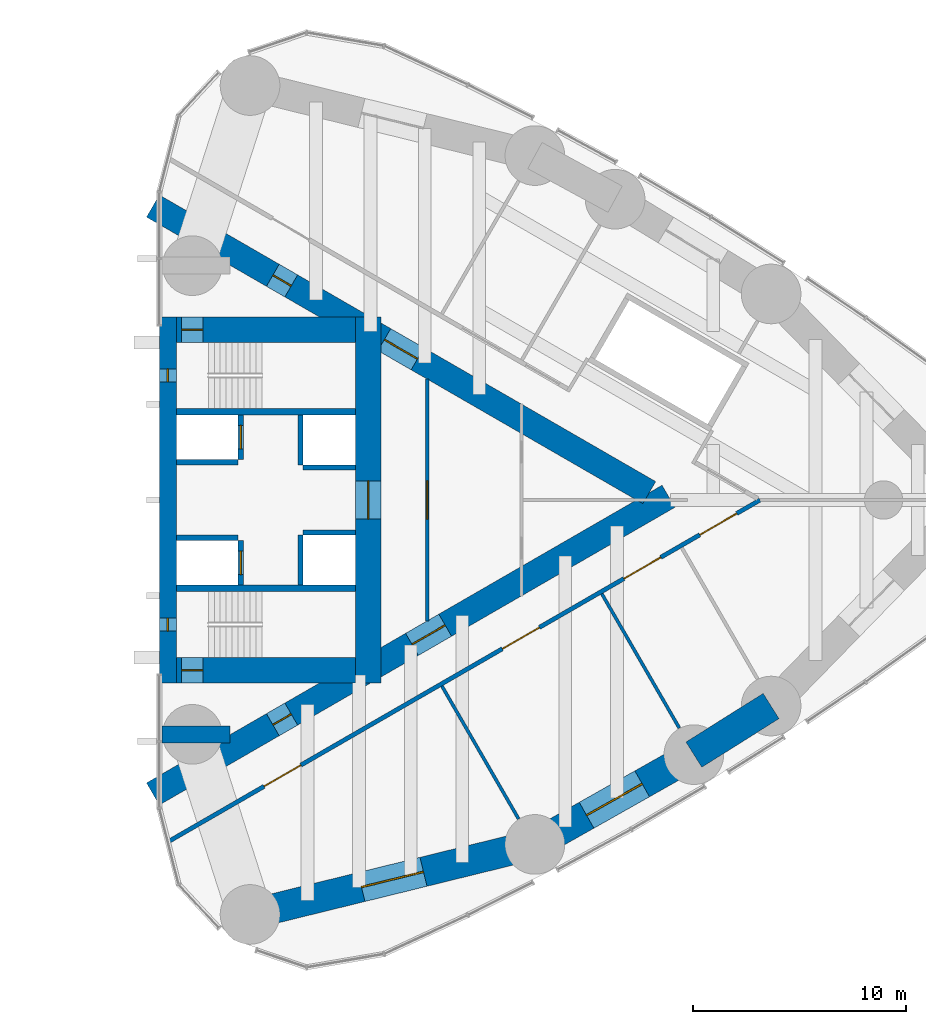
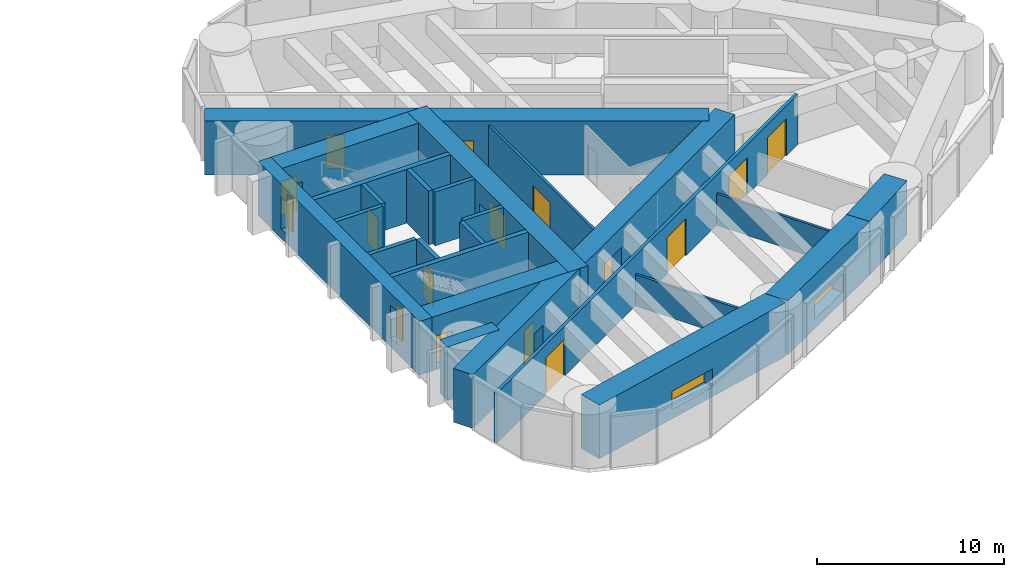
# One storey, part 14 of 17: 24 walls, 14 doors, 4 windows, 18 openings.
"""IFC4 building model written with IfcOpenShell, lengths in metres."""

from ifc_helpers import new_model, si_unit, direction, frame, frame_2d, origin, place, context, subcontext, project, spatial, rectangle, extrude, material, layer, layer_set, type_object, element, fill, save


model = new_model("IFC4")

# Units and contexts
model_context = context("Model", 3, precision=1e-05, world=origin(), true_north=direction((0.0, 1.0)))
body_context = subcontext(model_context, "Body", "Model", "MODEL_VIEW")
ifc_project = project(units=[si_unit("LENGTHUNIT", "METRE"), si_unit("AREAUNIT", "SQUARE_METRE"), si_unit("VOLUMEUNIT", "CUBIC_METRE"), si_unit("PLANEANGLEUNIT", "RADIAN"), si_unit("MASSUNIT", "GRAM", prefix="KILO")], contexts=[model_context])

# Site, building, storey
site_placement = place(None, origin())
site = spatial("IfcSite", under=ifc_project, at=site_placement, CompositionType="ELEMENT")
building_placement = place(site_placement, origin())
building = spatial("IfcBuilding", under=site, at=building_placement, Name="Lancet Gate Hotel", CompositionType="ELEMENT")
storey_placement = place(building_placement, frame((0.0, 0.0, 201.800048828125)))
storey = spatial("IfcBuildingStorey", under=building, at=storey_placement, Name="L54", CompositionType="ELEMENT", Elevation=201.800048828125)

# Wall, opening, window
ifc_material_1 = material(Name="Concrete C80/95", Category="concrete")
ifc_layer_1 = layer(ifc_material_1, 1.39990234375)
ifc_layer_set_1 = layer_set([ifc_layer_1], Name="Belt wall 1400")
wall_type_1 = type_object("IfcWallType", Name="Belt wall 1400", PredefinedType="SHEAR", material=ifc_layer_set_1)
wall_1_placement = place(storey_placement, frame((31.759765625, -19.455810546875, 0.0), z_axis=(0.0, 0.0, 1.0), x_axis=(0.971093253227, 0.238700426344, 0.0)))
wall_1 = element("IfcWall", 1, at=wall_1_placement, inside=storey, type_object=wall_type_1, Name="T2 belt wall CS-OS1 L54", PredefinedType="SHEAR", context=body_context, shape_type="SweptSolid", body=[
    extrude(rectangle(XDim=13.77197265625, YDim=1.39990234375, at=frame_2d((6.885986328125, 0.0))), origin(), (0.0, 0.0, 1.0), 3.5),
])
opening_1_placement = place(wall_1_placement, frame((5.385986328125, 0.0, 0.60009765625)))
opening_1 = element("IfcOpeningElement", 2, at=opening_1_placement, cuts=wall_1, Name="Opening LV1", PredefinedType="OPENING", context=body_context, shape_type="SweptSolid", body=[
    extrude(rectangle(XDim=3.0, YDim=1.199951171875, at=frame_2d((1.5, 0.60009765625))), frame((0.0, 0.7099609375, 0.0), z_axis=(0.0, -1.0, 0.0), x_axis=(1.0, 0.0, 0.0)), (0.0, 0.0, 1.0), 1.419921875),
])
ifc_material_2 = material(Name="Aluminium weather louvre", Category="aluminium")
window_type_1 = type_object("IfcWindowType", Name="Refuge louvre 3000x1200", PartitioningType="SINGLE_PANEL", PredefinedType="WINDOW", material=ifc_material_2)
window_1_placement = place(opening_1_placement, origin())
window_1 = element("IfcWindow", 3, at=window_1_placement, inside=storey, type_object=window_type_1, Name="T2 belt louvre CS-OS1 L54", OverallHeight=1.199951171875, OverallWidth=3.0, PartitioningType="SINGLE_PANEL", PredefinedType="WINDOW", context=body_context, shape_type="SweptSolid", body=[
    extrude(rectangle(XDim=3.0, YDim=1.199951171875, at=frame_2d((1.5, 0.60009765625))), frame((0.0, 0.030029296875, 0.0), z_axis=(0.0, -1.0, 0.0), x_axis=(1.0, 0.0, 0.0)), (0.0, 0.0, 1.0), 0.06005859375),
])
fill(opening_1, window_1)

wall_2_placement = place(storey_placement, frame((45.133544921875, -16.16845703125, 0.0), z_axis=(0.0, 0.0, 1.0), x_axis=(0.870721990329, 0.491775574381, 0.0)))
wall_2 = element("IfcWall", 4, at=wall_2_placement, inside=storey, type_object=wall_type_1, Name="T2 belt wall OS1-OS2 L54", PredefinedType="SHEAR", context=body_context, shape_type="SweptSolid", body=[
    extrude(rectangle(XDim=8.568603515625, YDim=1.39990234375, at=frame_2d((4.2841796875, 0.0))), origin(), (0.0, 0.0, 1.0), 3.5),
])
opening_2_placement = place(wall_2_placement, frame((2.7841796875, 0.0, 0.60009765625)))
opening_2 = element("IfcOpeningElement", 5, at=opening_2_placement, cuts=wall_2, Name="Opening LV1", PredefinedType="OPENING", context=body_context, shape_type="SweptSolid", body=[
    extrude(rectangle(XDim=3.0, YDim=1.199951171875, at=frame_2d((1.5, 0.60009765625))), frame((0.0, 0.7099609375, 0.0), z_axis=(0.0, -1.0, 0.0), x_axis=(1.0, 0.0, 0.0)), (0.0, 0.0, 1.0), 1.419921875),
])
window_2_placement = place(opening_2_placement, origin())
window_2 = element("IfcWindow", 6, at=window_2_placement, inside=storey, type_object=window_type_1, Name="T2 belt louvre OS1-OS2 L54", OverallHeight=1.199951171875, OverallWidth=3.0, PartitioningType="SINGLE_PANEL", PredefinedType="WINDOW", context=body_context, shape_type="SweptSolid", body=[
    extrude(rectangle(XDim=3.0, YDim=1.199951171875, at=frame_2d((1.5, 0.60009765625))), frame((0.0, 0.030029296875, 0.0), z_axis=(0.0, -1.0, 0.0), x_axis=(1.0, 0.0, 0.0)), (0.0, 0.0, 1.0), 0.06005859375),
])
fill(opening_2, window_2)

# Wall
wall_3_placement = place(storey_placement, frame((52.594482421875, -11.95458984375, 0.0), z_axis=(0.0, 0.0, 1.0), x_axis=(0.846348902569, 0.532628890617, 0.0)))
element("IfcWall", 7, at=wall_3_placement, inside=storey, type_object=wall_type_1, Name="T2 belt wall OS2-OS3 L54", PredefinedType="SHEAR", context=body_context, shape_type="SweptSolid", body=[
    extrude(rectangle(XDim=4.284912109375, YDim=1.39990234375, at=frame_2d((2.142578125, 0.0))), origin(), (0.0, 0.0, 1.0), 3.5),
])

# Wall, openings, doors
ifc_material_3 = material(Name="Concrete C70/85", Category="concrete")
ifc_layer_2 = layer(ifc_material_3, 1.199951171875)
ifc_layer_set_2 = layer_set([ifc_layer_2], Name="Buttress wall 1200")
wall_type_2 = type_object("IfcWallType", Name="Buttress wall 1200", PredefinedType="SHEAR", material=ifc_layer_set_2)
wall_4_placement = place(storey_placement, frame((27.199951171875, -13.800048828125, 0.0), z_axis=(0.0, 0.0, 1.0), x_axis=(0.866027159892, 0.499996958321, 0.0)))
wall_4 = element("IfcWall", 8, at=wall_4_placement, inside=storey, type_object=wall_type_2, Name="T2 buttress wall S L54", PredefinedType="SHEAR", context=body_context, shape_type="SweptSolid", body=[
    extrude(rectangle(XDim=27.946533203125, YDim=1.199951171875, at=frame_2d((13.97314453125, 0.0))), origin(), (0.0, 0.0, 1.0), 3.5),
])
opening_3_placement = place(wall_4_placement, frame((6.5, 0.0, 0.0)))
opening_3 = element("IfcOpeningElement", 9, at=opening_3_placement, cuts=wall_4, Name="Opening T2-L54-LS", PredefinedType="OPENING", context=body_context, shape_type="SweptSolid", body=[
    extrude(rectangle(XDim=1.0, YDim=2.199951171875, at=frame_2d((0.5, 1.10009765625))), frame((0.0, 0.60986328125, 0.0), z_axis=(0.0, -1.0, 0.0), x_axis=(1.0, 0.0, 0.0)), (0.0, 0.0, 1.0), 1.219970703125),
])
opening_4_placement = place(wall_4_placement, frame((14.044921875, 0.0, 0.0)))
opening_4 = element("IfcOpeningElement", 10, at=opening_4_placement, cuts=wall_4, Name="Opening T2-L54-LHS", PredefinedType="OPENING", context=body_context, shape_type="SweptSolid", body=[
    extrude(rectangle(XDim=1.800048828125, YDim=2.199951171875, at=frame_2d((0.89990234375, 1.10009765625))), frame((0.0, 0.60986328125, 0.0), z_axis=(0.0, -1.0, 0.0), x_axis=(1.0, 0.0, 0.0)), (0.0, 0.0, 1.0), 1.219970703125),
])
ifc_material_4 = material(Name="Timber door set", Category="wood")
door_type_1 = type_object("IfcDoorType", Name="Lobby double door 1800", OperationType="DOUBLE_DOOR_SINGLE_SWING", PredefinedType="DOOR", material=ifc_material_4)
door_1_placement = place(opening_4_placement, origin())
door_1 = element("IfcDoor", 11, at=door_1_placement, inside=storey, type_object=door_type_1, Name="T2-L54-LHS", OperationType="DOUBLE_DOOR_SINGLE_SWING", OverallHeight=2.199951171875, OverallWidth=1.800048828125, PredefinedType="DOOR", context=body_context, shape_type="SweptSolid", body=[
    extrude(rectangle(XDim=1.800048828125, YDim=2.199951171875, at=frame_2d((0.89990234375, 1.10009765625))), frame((0.0, 0.02490234375, 0.0), z_axis=(0.0, -1.0, 0.0), x_axis=(1.0, 0.0, 0.0)), (0.0, 0.0, 1.0), 0.050048828125),
])
fill(opening_4, door_1)
ifc_material_5 = material(Name="Timber door set", Category="wood")
door_type_2 = type_object("IfcDoorType", Name="Stair lobby door 1000", OperationType="SINGLE_SWING_LEFT", PredefinedType="DOOR", material=ifc_material_5)
door_2_placement = place(opening_3_placement, origin())
door_2 = element("IfcDoor", 12, at=door_2_placement, inside=storey, type_object=door_type_2, Name="T2-L54-LS", OperationType="SINGLE_SWING_LEFT", OverallHeight=2.199951171875, OverallWidth=1.0, PredefinedType="DOOR", context=body_context, shape_type="SweptSolid", body=[
    extrude(rectangle(XDim=1.0, YDim=2.199951171875, at=frame_2d((0.5, 1.10009765625))), frame((0.0, 0.02490234375, 0.0), z_axis=(0.0, -1.0, 0.0), x_axis=(1.0, 0.0, 0.0)), (0.0, 0.0, 1.0), 0.050048828125),
])
fill(opening_3, door_2)

wall_5_placement = place(storey_placement, frame((27.199951171875, 13.800048828125, 0.0), z_axis=(0.0, 0.0, 1.0), x_axis=(0.866024515034, -0.500001539357, 0.0)))
wall_5 = element("IfcWall", 13, at=wall_5_placement, inside=storey, type_object=wall_type_2, Name="T2 buttress wall N L54", PredefinedType="SHEAR", context=body_context, shape_type="SweptSolid", body=[
    extrude(rectangle(XDim=26.9072265625, YDim=1.199951171875, at=frame_2d((13.45361328125, 0.0))), origin(), (0.0, 0.0, 1.0), 3.5),
])
opening_5_placement = place(wall_5_placement, frame((6.5, 0.0, 0.0)))
opening_5 = element("IfcOpeningElement", 14, at=opening_5_placement, cuts=wall_5, Name="Opening T2-L54-LN", PredefinedType="OPENING", context=body_context, shape_type="SweptSolid", body=[
    extrude(rectangle(XDim=1.0, YDim=2.199951171875, at=frame_2d((0.5, 1.10009765625))), frame((0.0, 0.60986328125, 0.0), z_axis=(0.0, -1.0, 0.0), x_axis=(1.0, 0.0, 0.0)), (0.0, 0.0, 1.0), 1.219970703125),
])
opening_6_placement = place(wall_5_placement, frame((12.544921875, 0.0, 0.0)))
opening_6 = element("IfcOpeningElement", 15, at=opening_6_placement, cuts=wall_5, Name="Opening T2-L54-LHN", PredefinedType="OPENING", context=body_context, shape_type="SweptSolid", body=[
    extrude(rectangle(XDim=1.800048828125, YDim=2.199951171875, at=frame_2d((0.89990234375, 1.10009765625))), frame((0.0, 0.60986328125, 0.0), z_axis=(0.0, -1.0, 0.0), x_axis=(1.0, 0.0, 0.0)), (0.0, 0.0, 1.0), 1.219970703125),
])
door_3_placement = place(opening_6_placement, origin())
door_3 = element("IfcDoor", 16, at=door_3_placement, inside=storey, type_object=door_type_1, Name="T2-L54-LHN", OperationType="DOUBLE_DOOR_SINGLE_SWING", OverallHeight=2.199951171875, OverallWidth=1.800048828125, PredefinedType="DOOR", context=body_context, shape_type="SweptSolid", body=[
    extrude(rectangle(XDim=1.800048828125, YDim=2.199951171875, at=frame_2d((0.89990234375, 1.10009765625))), frame((0.0, 0.02490234375, 0.0), z_axis=(0.0, -1.0, 0.0), x_axis=(1.0, 0.0, 0.0)), (0.0, 0.0, 1.0), 0.050048828125),
])
fill(opening_6, door_3)
door_4_placement = place(opening_5_placement, origin())
door_4 = element("IfcDoor", 17, at=door_4_placement, inside=storey, type_object=door_type_2, Name="T2-L54-LN", OperationType="SINGLE_SWING_LEFT", OverallHeight=2.199951171875, OverallWidth=1.0, PredefinedType="DOOR", context=body_context, shape_type="SweptSolid", body=[
    extrude(rectangle(XDim=1.0, YDim=2.199951171875, at=frame_2d((0.5, 1.10009765625))), frame((0.0, 0.02490234375, 0.0), z_axis=(0.0, -1.0, 0.0), x_axis=(1.0, 0.0, 0.0)), (0.0, 0.0, 1.0), 0.050048828125),
])
fill(opening_5, door_4)

# Wall, opening, door
ifc_material_6 = material(Name="Concrete C70/85", Category="concrete")
ifc_layer_3 = layer(ifc_material_6, 1.199951171875)
ifc_layer_set_3 = layer_set([ifc_layer_3], Name="Core wall 1200")
wall_type_3 = type_object("IfcWallType", Name="Core wall 1200", PredefinedType="SHEAR", material=ifc_layer_set_3)
wall_6_placement = place(storey_placement, frame((37.300048828125, -8.60009765625, 0.0), z_axis=(0.0, 0.0, 1.0), x_axis=(0.0, 1.0, 0.0)))
wall_6 = element("IfcWall", 18, at=wall_6_placement, inside=storey, type_object=wall_type_3, Name="T2 core wall back L54", PredefinedType="SHEAR", context=body_context, shape_type="SweptSolid", body=[
    extrude(rectangle(XDim=17.2001953125, YDim=1.199951171875, at=frame_2d((8.60009765625, 0.0))), origin(), (0.0, 0.0, 1.0), 3.5),
])
opening_7_placement = place(wall_6_placement, frame((7.699951171875, 0.0, 0.0)))
opening_7 = element("IfcOpeningElement", 19, at=opening_7_placement, cuts=wall_6, Name="Opening T2-L54-LL", PredefinedType="OPENING", context=body_context, shape_type="SweptSolid", body=[
    extrude(rectangle(XDim=1.800048828125, YDim=2.199951171875, at=frame_2d((0.89990234375, 1.10009765625))), frame((0.0, 0.60986328125, 0.0), z_axis=(0.0, -1.0, 0.0), x_axis=(1.0, 0.0, 0.0)), (0.0, 0.0, 1.0), 1.219970703125),
])
door_5_placement = place(opening_7_placement, origin())
door_5 = element("IfcDoor", 20, at=door_5_placement, inside=storey, type_object=door_type_1, Name="T2-L54-LL", OperationType="DOUBLE_DOOR_SINGLE_SWING", OverallHeight=2.199951171875, OverallWidth=1.800048828125, PredefinedType="DOOR", context=body_context, shape_type="SweptSolid", body=[
    extrude(rectangle(XDim=1.800048828125, YDim=2.199951171875, at=frame_2d((0.89990234375, 1.10009765625))), frame((0.0, 0.02490234375, 0.0), z_axis=(0.0, -1.0, 0.0), x_axis=(1.0, 0.0, 0.0)), (0.0, 0.0, 1.0), 0.050048828125),
])
fill(opening_7, door_5)

wall_7_placement = place(storey_placement, frame((28.300048828125, -8.0, 0.0), z_axis=(0.0, 0.0, 1.0), x_axis=(1.0, 0.0, 0.0)))
wall_7 = element("IfcWall", 21, at=wall_7_placement, inside=storey, type_object=wall_type_3, Name="T2 core wall side-S L54", PredefinedType="SHEAR", context=body_context, shape_type="SweptSolid", body=[
    extrude(rectangle(XDim=8.39990234375, YDim=1.199951171875, at=frame_2d((4.199951171875, 0.0))), origin(), (0.0, 0.0, 1.0), 3.5),
])
opening_8_placement = place(wall_7_placement, frame((0.25, 0.0, 0.0)))
opening_8 = element("IfcOpeningElement", 22, at=opening_8_placement, cuts=wall_7, Name="Opening T2-L54-ST1", PredefinedType="OPENING", context=body_context, shape_type="SweptSolid", body=[
    extrude(rectangle(XDim=1.0, YDim=2.199951171875, at=frame_2d((0.5, 1.10009765625))), frame((0.0, 0.60986328125, 0.0), z_axis=(0.0, -1.0, 0.0), x_axis=(1.0, 0.0, 0.0)), (0.0, 0.0, 1.0), 1.219970703125),
])
ifc_material_7 = material(Name="Timber door set", Category="wood")
door_type_3 = type_object("IfcDoorType", Name="Stair door 1000", OperationType="SINGLE_SWING_RIGHT", PredefinedType="DOOR", material=ifc_material_7)
door_6_placement = place(opening_8_placement, origin())
door_6 = element("IfcDoor", 23, at=door_6_placement, inside=storey, type_object=door_type_3, Name="T2-L54-ST1", OperationType="SINGLE_SWING_RIGHT", OverallHeight=2.199951171875, OverallWidth=1.0, PredefinedType="DOOR", context=body_context, shape_type="SweptSolid", body=[
    extrude(rectangle(XDim=1.0, YDim=2.199951171875, at=frame_2d((0.5, 1.10009765625))), frame((0.0, 0.02490234375, 0.0), z_axis=(0.0, -1.0, 0.0), x_axis=(1.0, 0.0, 0.0)), (0.0, 0.0, 1.0), 0.050048828125),
])
fill(opening_8, door_6)

wall_8_placement = place(storey_placement, frame((28.300048828125, 8.0, 0.0), z_axis=(0.0, 0.0, 1.0), x_axis=(1.0, 0.0, 0.0)))
wall_8 = element("IfcWall", 24, at=wall_8_placement, inside=storey, type_object=wall_type_3, Name="T2 core wall side-N L54", PredefinedType="SHEAR", context=body_context, shape_type="SweptSolid", body=[
    extrude(rectangle(XDim=8.39990234375, YDim=1.199951171875, at=frame_2d((4.199951171875, 0.0))), origin(), (0.0, 0.0, 1.0), 3.5),
])
opening_9_placement = place(wall_8_placement, frame((0.25, 0.0, 0.0)))
opening_9 = element("IfcOpeningElement", 25, at=opening_9_placement, cuts=wall_8, Name="Opening T2-L54-ST2", PredefinedType="OPENING", context=body_context, shape_type="SweptSolid", body=[
    extrude(rectangle(XDim=1.0, YDim=2.199951171875, at=frame_2d((0.5, 1.10009765625))), frame((0.0, 0.60986328125, 0.0), z_axis=(0.0, -1.0, 0.0), x_axis=(1.0, 0.0, 0.0)), (0.0, 0.0, 1.0), 1.219970703125),
])
door_7_placement = place(opening_9_placement, origin())
door_7 = element("IfcDoor", 26, at=door_7_placement, inside=storey, type_object=door_type_3, Name="T2-L54-ST2", OperationType="SINGLE_SWING_RIGHT", OverallHeight=2.199951171875, OverallWidth=1.0, PredefinedType="DOOR", context=body_context, shape_type="SweptSolid", body=[
    extrude(rectangle(XDim=1.0, YDim=2.199951171875, at=frame_2d((0.5, 1.10009765625))), frame((0.0, 0.02490234375, 0.0), z_axis=(0.0, -1.0, 0.0), x_axis=(1.0, 0.0, 0.0)), (0.0, 0.0, 1.0), 0.050048828125),
])
fill(opening_9, door_7)

# Wall, openings, windows
ifc_material_8 = material(Name="Concrete C70/85", Category="concrete")
ifc_layer_4 = layer(ifc_material_8, 0.800048828125)
ifc_layer_set_4 = layer_set([ifc_layer_4], Name="Core wall 800")
wall_type_4 = type_object("IfcWallType", Name="Core wall 800", PredefinedType="SHEAR", material=ifc_layer_set_4)
wall_9_placement = place(storey_placement, frame((27.89990234375, -8.60009765625, 0.0), z_axis=(0.0, 0.0, 1.0), x_axis=(0.0, 1.0, 0.0)))
wall_9 = element("IfcWall", 27, at=wall_9_placement, inside=storey, type_object=wall_type_4, Name="T2 core wall front L54", PredefinedType="SHEAR", context=body_context, shape_type="SweptSolid", body=[
    extrude(rectangle(XDim=17.2001953125, YDim=0.800048828125, at=frame_2d((8.60009765625, 0.0))), origin(), (0.0, 0.0, 1.0), 3.5),
])
opening_10_placement = place(wall_9_placement, frame((2.449951171875, 0.0, 0.60009765625)))
opening_10 = element("IfcOpeningElement", 28, at=opening_10_placement, cuts=wall_9, Name="Opening LW1", PredefinedType="OPENING", context=body_context, shape_type="SweptSolid", body=[
    extrude(rectangle(XDim=0.60009765625, YDim=2.10009765625, at=frame_2d((0.300048828125, 1.050048828125))), frame((0.0, 0.409912109375, 0.0), z_axis=(0.0, -1.0, 0.0), x_axis=(1.0, 0.0, 0.0)), (0.0, 0.0, 1.0), 0.820068359375),
])
opening_11_placement = place(wall_9_placement, frame((14.14990234375, 0.0, 0.60009765625)))
opening_11 = element("IfcOpeningElement", 29, at=opening_11_placement, cuts=wall_9, Name="Opening LW1", PredefinedType="OPENING", context=body_context, shape_type="SweptSolid", body=[
    extrude(rectangle(XDim=0.60009765625, YDim=2.10009765625, at=frame_2d((0.300048828125, 1.050048828125))), frame((0.0, 0.409912109375, 0.0), z_axis=(0.0, -1.0, 0.0), x_axis=(1.0, 0.0, 0.0)), (0.0, 0.0, 1.0), 0.820068359375),
])
ifc_material_9 = material(Name="Fire-resisting glazed steel window", Category="steel")
window_type_2 = type_object("IfcWindowType", Name="Lancet window 600x2100", PartitioningType="SINGLE_PANEL", PredefinedType="WINDOW", material=ifc_material_9)
window_3_placement = place(opening_10_placement, origin())
window_3 = element("IfcWindow", 30, at=window_3_placement, inside=storey, type_object=window_type_2, Name="T2 stair window S L54", OverallHeight=2.10009765625, OverallWidth=0.60009765625, PartitioningType="SINGLE_PANEL", PredefinedType="WINDOW", context=body_context, shape_type="SweptSolid", body=[
    extrude(rectangle(XDim=0.60009765625, YDim=2.10009765625, at=frame_2d((0.300048828125, 1.050048828125))), frame((0.0, 0.030029296875, 0.0), z_axis=(0.0, -1.0, 0.0), x_axis=(1.0, 0.0, 0.0)), (0.0, 0.0, 1.0), 0.06005859375),
])
fill(opening_10, window_3)
window_4_placement = place(opening_11_placement, origin())
window_4 = element("IfcWindow", 31, at=window_4_placement, inside=storey, type_object=window_type_2, Name="T2 stair window N L54", OverallHeight=2.10009765625, OverallWidth=0.60009765625, PartitioningType="SINGLE_PANEL", PredefinedType="WINDOW", context=body_context, shape_type="SweptSolid", body=[
    extrude(rectangle(XDim=0.60009765625, YDim=2.10009765625, at=frame_2d((0.300048828125, 1.050048828125))), frame((0.0, 0.030029296875, 0.0), z_axis=(0.0, -1.0, 0.0), x_axis=(1.0, 0.0, 0.0)), (0.0, 0.0, 1.0), 0.06005859375),
])
fill(opening_11, window_4)

# Wall, openings, doors
ifc_material_10 = material(Name="Gypsum board partition")
ifc_layer_5 = layer(ifc_material_10, 0.199951171875)
ifc_layer_set_5 = layer_set([ifc_layer_5], Name="Corridor wall 200")
wall_type_5 = type_object("IfcWallType", Name="Corridor wall 200", PredefinedType="PARTITIONING", material=ifc_layer_set_5)
wall_10_placement = place(storey_placement, frame((27.902587890625, -16.05029296875, 0.0), z_axis=(0.0, 0.0, 1.0), x_axis=(0.866022581743, 0.500004887887, 0.0)))
wall_10 = element("IfcWall", 32, at=wall_10_placement, inside=storey, type_object=wall_type_5, Name="T2 corridor wall 200 L54", PredefinedType="PARTITIONING", context=body_context, shape_type="SweptSolid", body=[
    extrude(rectangle(XDim=32.100341796875, YDim=0.199951171875, at=frame_2d((16.05029296875, 0.0))), origin(), (0.0, 0.0, 1.0), 3.25),
])
opening_12_placement = place(wall_10_placement, frame((5.2119140625, 0.0, 0.0)))
opening_12 = element("IfcOpeningElement", 33, at=opening_12_placement, cuts=wall_10, Name="Opening T2-L54-C01", PredefinedType="OPENING", context=body_context, shape_type="SweptSolid", body=[
    extrude(rectangle(XDim=2.0, YDim=2.39990234375, at=frame_2d((1.0, 1.199951171875))), frame((0.0, 0.10986328125, 0.0), z_axis=(0.0, -1.0, 0.0), x_axis=(1.0, 0.0, 0.0)), (0.0, 0.0, 1.0), 0.219970703125),
])
opening_13_placement = place(wall_10_placement, frame((18.1328125, 0.0, 0.0)))
opening_13 = element("IfcOpeningElement", 34, at=opening_13_placement, cuts=wall_10, Name="Opening T2-L54-C02", PredefinedType="OPENING", context=body_context, shape_type="SweptSolid", body=[
    extrude(rectangle(XDim=2.0, YDim=2.39990234375, at=frame_2d((1.0, 1.199951171875))), frame((0.0, 0.10986328125, 0.0), z_axis=(0.0, -1.0, 0.0), x_axis=(1.0, 0.0, 0.0)), (0.0, 0.0, 1.0), 0.219970703125),
])
opening_14_placement = place(wall_10_placement, frame((24.717041015625, 0.0, 0.0)))
opening_14 = element("IfcOpeningElement", 35, at=opening_14_placement, cuts=wall_10, Name="Opening T2-L54-C03", PredefinedType="OPENING", context=body_context, shape_type="SweptSolid", body=[
    extrude(rectangle(XDim=2.0, YDim=2.39990234375, at=frame_2d((1.0, 1.199951171875))), frame((0.0, 0.10986328125, 0.0), z_axis=(0.0, -1.0, 0.0), x_axis=(1.0, 0.0, 0.0)), (0.0, 0.0, 1.0), 0.219970703125),
])
opening_15_placement = place(wall_10_placement, frame((28.836181640625, 0.0, 0.0)))
opening_15 = element("IfcOpeningElement", 36, at=opening_15_placement, cuts=wall_10, Name="Opening T2-L54-C04", PredefinedType="OPENING", context=body_context, shape_type="SweptSolid", body=[
    extrude(rectangle(XDim=2.0, YDim=2.39990234375, at=frame_2d((1.0, 1.199951171875))), frame((0.0, 0.10986328125, 0.0), z_axis=(0.0, -1.0, 0.0), x_axis=(1.0, 0.0, 0.0)), (0.0, 0.0, 1.0), 0.219970703125),
])
ifc_material_11 = material(Name="Timber door set", Category="wood")
door_type_4 = type_object("IfcDoorType", Name="Plant room double door 2000", OperationType="DOUBLE_DOOR_SINGLE_SWING", PredefinedType="DOOR", material=ifc_material_11)
door_8_placement = place(opening_12_placement, origin())
door_8 = element("IfcDoor", 37, at=door_8_placement, inside=storey, type_object=door_type_4, Name="T2-L54-C01", OperationType="DOUBLE_DOOR_SINGLE_SWING", OverallHeight=2.39990234375, OverallWidth=2.0, PredefinedType="DOOR", context=body_context, shape_type="SweptSolid", body=[
    extrude(rectangle(XDim=2.0, YDim=2.39990234375, at=frame_2d((1.0, 1.199951171875))), frame((0.0, 0.02490234375, 0.0), z_axis=(0.0, -1.0, 0.0), x_axis=(1.0, 0.0, 0.0)), (0.0, 0.0, 1.0), 0.050048828125),
])
fill(opening_12, door_8)
door_9_placement = place(opening_13_placement, origin())
door_9 = element("IfcDoor", 38, at=door_9_placement, inside=storey, type_object=door_type_4, Name="T2-L54-C02", OperationType="DOUBLE_DOOR_SINGLE_SWING", OverallHeight=2.39990234375, OverallWidth=2.0, PredefinedType="DOOR", context=body_context, shape_type="SweptSolid", body=[
    extrude(rectangle(XDim=2.0, YDim=2.39990234375, at=frame_2d((1.0, 1.199951171875))), frame((0.0, 0.02490234375, 0.0), z_axis=(0.0, -1.0, 0.0), x_axis=(1.0, 0.0, 0.0)), (0.0, 0.0, 1.0), 0.050048828125),
])
fill(opening_13, door_9)
door_10_placement = place(opening_14_placement, origin())
door_10 = element("IfcDoor", 39, at=door_10_placement, inside=storey, type_object=door_type_4, Name="T2-L54-C03", OperationType="DOUBLE_DOOR_SINGLE_SWING", OverallHeight=2.39990234375, OverallWidth=2.0, PredefinedType="DOOR", context=body_context, shape_type="SweptSolid", body=[
    extrude(rectangle(XDim=2.0, YDim=2.39990234375, at=frame_2d((1.0, 1.199951171875))), frame((0.0, 0.02490234375, 0.0), z_axis=(0.0, -1.0, 0.0), x_axis=(1.0, 0.0, 0.0)), (0.0, 0.0, 1.0), 0.050048828125),
])
fill(opening_14, door_10)
door_11_placement = place(opening_15_placement, origin())
door_11 = element("IfcDoor", 40, at=door_11_placement, inside=storey, type_object=door_type_4, Name="T2-L54-C04", OperationType="DOUBLE_DOOR_SINGLE_SWING", OverallHeight=2.39990234375, OverallWidth=2.0, PredefinedType="DOOR", context=body_context, shape_type="SweptSolid", body=[
    extrude(rectangle(XDim=2.0, YDim=2.39990234375, at=frame_2d((1.0, 1.199951171875))), frame((0.0, 0.02490234375, 0.0), z_axis=(0.0, -1.0, 0.0), x_axis=(1.0, 0.0, 0.0)), (0.0, 0.0, 1.0), 0.050048828125),
])
fill(opening_15, door_11)

# Wall, opening, door
ifc_material_12 = material(Name="Concrete C50/60", Category="concrete")
ifc_layer_6 = layer(ifc_material_12, 0.25)
ifc_layer_set_6 = layer_set([ifc_layer_6], Name="Lift shaft wall 250")
wall_type_6 = type_object("IfcWallType", Name="Lift shaft wall 250", PredefinedType="SHEAR", material=ifc_layer_set_6)
wall_11_placement = place(storey_placement, frame((31.324951171875, -4.0, 0.0), z_axis=(0.0, 0.0, 1.0), x_axis=(0.0, 1.0, 0.0)))
wall_11 = element("IfcWall", 41, at=wall_11_placement, inside=storey, type_object=wall_type_6, Name="T2 core wall row1-S L54", PredefinedType="SHEAR", context=body_context, shape_type="SweptSolid", body=[
    extrude(rectangle(XDim=2.10009765625, YDim=0.25, at=frame_2d((1.050048828125, 0.0))), origin(), (0.0, 0.0, 1.0), 3.5),
])
opening_16_placement = place(wall_11_placement, frame((0.5, 0.0, 0.0)))
opening_16 = element("IfcOpeningElement", 42, at=opening_16_placement, cuts=wall_11, Name="Opening T2-SL1-L54", PredefinedType="OPENING", context=body_context, shape_type="SweptSolid", body=[
    extrude(rectangle(XDim=1.10009765625, YDim=2.199951171875, at=frame_2d((0.550048828125, 1.10009765625))), frame((0.0, 0.135009765625, 0.0), z_axis=(0.0, -1.0, 0.0), x_axis=(1.0, 0.0, 0.0)), (0.0, 0.0, 1.0), 0.27001953125),
])
ifc_material_13 = material(Name="Timber door set", Category="wood")
door_type_5 = type_object("IfcDoorType", Name="Service lift landing door 1100", OperationType="SLIDING_TO_LEFT", PredefinedType="USERDEFINED", material=ifc_material_13)
door_12_placement = place(opening_16_placement, origin())
door_12 = element("IfcDoor", 43, at=door_12_placement, inside=storey, type_object=door_type_5, Name="T2-SL1-L54", ObjectType="LIFT LANDING DOOR", OperationType="SLIDING_TO_LEFT", OverallHeight=2.199951171875, OverallWidth=1.10009765625, PredefinedType="USERDEFINED", context=body_context, shape_type="SweptSolid", body=[
    extrude(rectangle(XDim=1.10009765625, YDim=2.199951171875, at=frame_2d((0.550048828125, 1.10009765625))), frame((0.0, 0.02490234375, 0.0), z_axis=(0.0, -1.0, 0.0), x_axis=(1.0, 0.0, 0.0)), (0.0, 0.0, 1.0), 0.050048828125),
])
fill(opening_16, door_12)

# Walls
wall_12_placement = place(storey_placement, frame((34.125, -4.0, 0.0), z_axis=(0.0, 0.0, 1.0), x_axis=(0.0, 1.0, 0.0)))
element("IfcWall", 44, at=wall_12_placement, inside=storey, type_object=wall_type_6, Name="T2 core wall row2-S L54", PredefinedType="SHEAR", context=body_context, shape_type="SweptSolid", body=[
    extrude(rectangle(XDim=2.35009765625, YDim=0.25, at=frame_2d((1.175048828125, 0.0))), origin(), (0.0, 0.0, 1.0), 3.5),
])
wall_13_placement = place(storey_placement, frame((28.300048828125, -1.77490234375, 0.0), z_axis=(0.0, 0.0, 1.0), x_axis=(1.0, 0.0, 0.0)))
element("IfcWall", 45, at=wall_13_placement, inside=storey, type_object=wall_type_6, Name="T2 core wall pass1-S L54", PredefinedType="SHEAR", context=body_context, shape_type="SweptSolid", body=[
    extrude(rectangle(XDim=2.89990234375, YDim=0.25, at=frame_2d((1.449951171875, 0.0))), origin(), (0.0, 0.0, 1.0), 3.5),
])
wall_14_placement = place(storey_placement, frame((34.25, -1.52490234375, 0.0), z_axis=(0.0, 0.0, 1.0), x_axis=(1.0, 0.0, 0.0)))
element("IfcWall", 46, at=wall_14_placement, inside=storey, type_object=wall_type_6, Name="T2 core wall pass2-S L54", PredefinedType="SHEAR", context=body_context, shape_type="SweptSolid", body=[
    extrude(rectangle(XDim=2.449951171875, YDim=0.25, at=frame_2d((1.22509765625, 0.0))), origin(), (0.0, 0.0, 1.0), 3.5),
])

# Wall, opening, door
wall_15_placement = place(storey_placement, frame((31.324951171875, 1.89990234375, 0.0), z_axis=(0.0, 0.0, 1.0), x_axis=(0.0, 1.0, 0.0)))
wall_15 = element("IfcWall", 47, at=wall_15_placement, inside=storey, type_object=wall_type_6, Name="T2 core wall row1-N L54", PredefinedType="SHEAR", context=body_context, shape_type="SweptSolid", body=[
    extrude(rectangle(XDim=2.10009765625, YDim=0.25, at=frame_2d((1.050048828125, 0.0))), origin(), (0.0, 0.0, 1.0), 3.5),
])
opening_17_placement = place(wall_15_placement, frame((0.5, 0.0, 0.0)))
opening_17 = element("IfcOpeningElement", 48, at=opening_17_placement, cuts=wall_15, Name="Opening T2-FL2-L54", PredefinedType="OPENING", context=body_context, shape_type="SweptSolid", body=[
    extrude(rectangle(XDim=1.10009765625, YDim=2.199951171875, at=frame_2d((0.550048828125, 1.10009765625))), frame((0.0, 0.135009765625, 0.0), z_axis=(0.0, -1.0, 0.0), x_axis=(1.0, 0.0, 0.0)), (0.0, 0.0, 1.0), 0.27001953125),
])
ifc_material_14 = material(Name="Steel door set", Category="steel")
door_type_6 = type_object("IfcDoorType", Name="Firefighting lift landing door 1100", OperationType="SLIDING_TO_LEFT", PredefinedType="USERDEFINED", material=ifc_material_14)
door_13_placement = place(opening_17_placement, origin())
door_13 = element("IfcDoor", 49, at=door_13_placement, inside=storey, type_object=door_type_6, Name="T2-FL2-L54", ObjectType="LIFT LANDING DOOR", OperationType="SLIDING_TO_LEFT", OverallHeight=2.199951171875, OverallWidth=1.10009765625, PredefinedType="USERDEFINED", context=body_context, shape_type="SweptSolid", body=[
    extrude(rectangle(XDim=1.10009765625, YDim=2.199951171875, at=frame_2d((0.550048828125, 1.10009765625))), frame((0.0, 0.02490234375, 0.0), z_axis=(0.0, -1.0, 0.0), x_axis=(1.0, 0.0, 0.0)), (0.0, 0.0, 1.0), 0.050048828125),
])
fill(opening_17, door_13)

# Walls
wall_16_placement = place(storey_placement, frame((34.125, 1.64990234375, 0.0), z_axis=(0.0, 0.0, 1.0), x_axis=(0.0, 1.0, 0.0)))
element("IfcWall", 50, at=wall_16_placement, inside=storey, type_object=wall_type_6, Name="T2 core wall row2-N L54", PredefinedType="SHEAR", context=body_context, shape_type="SweptSolid", body=[
    extrude(rectangle(XDim=2.35009765625, YDim=0.25, at=frame_2d((1.175048828125, 0.0))), origin(), (0.0, 0.0, 1.0), 3.5),
])
wall_17_placement = place(storey_placement, frame((28.300048828125, 1.77490234375, 0.0), z_axis=(0.0, 0.0, 1.0), x_axis=(1.0, 0.0, 0.0)))
element("IfcWall", 51, at=wall_17_placement, inside=storey, type_object=wall_type_6, Name="T2 core wall pass1-N L54", PredefinedType="SHEAR", context=body_context, shape_type="SweptSolid", body=[
    extrude(rectangle(XDim=2.89990234375, YDim=0.25, at=frame_2d((1.449951171875, 0.0))), origin(), (0.0, 0.0, 1.0), 3.5),
])
wall_18_placement = place(storey_placement, frame((34.25, 1.52490234375, 0.0), z_axis=(0.0, 0.0, 1.0), x_axis=(1.0, 0.0, 0.0)))
element("IfcWall", 52, at=wall_18_placement, inside=storey, type_object=wall_type_6, Name="T2 core wall pass2-N L54", PredefinedType="SHEAR", context=body_context, shape_type="SweptSolid", body=[
    extrude(rectangle(XDim=2.449951171875, YDim=0.25, at=frame_2d((1.22509765625, 0.0))), origin(), (0.0, 0.0, 1.0), 3.5),
])
ifc_material_15 = material(Name="Concrete C70/85", Category="concrete")
ifc_layer_7 = layer(ifc_material_15, 0.800048828125)
ifc_layer_set_7 = layer_set([ifc_layer_7], Name="Outrigger wall 800, truss lines")
wall_type_7 = type_object("IfcWallType", Name="Outrigger wall 800, truss lines", PredefinedType="SHEAR", material=ifc_layer_set_7)
wall_19_placement = place(storey_placement, frame((27.6201171875, -11.0, 0.0), z_axis=(0.0, 0.0, 1.0), x_axis=(1.0, 0.0, 0.0)))
element("IfcWall", 53, at=wall_19_placement, inside=storey, type_object=wall_type_7, Name="T2 transfer wall TS L54", PredefinedType="SHEAR", context=body_context, shape_type="SweptSolid", body=[
    extrude(rectangle(XDim=3.20947265625, YDim=0.800048828125, at=frame_2d((1.604736328125, 0.0))), origin(), (0.0, 0.0, 1.0), 3.5),
])
ifc_material_16 = material(Name="Gypsum board partition")
ifc_layer_8 = layer(ifc_material_16, 0.14990234375)
ifc_layer_set_8 = layer_set([ifc_layer_8], Name="Party wall 150")
wall_type_8 = type_object("IfcWallType", Name="Party wall 150", PredefinedType="PARTITIONING", material=ifc_layer_set_8)
wall_20_placement = place(storey_placement, frame((40.769287109375, -8.737060546875, 0.0), z_axis=(0.0, 0.0, 1.0), x_axis=(0.500013115284, -0.866017831539, 0.0)))
element("IfcWall", 54, at=wall_20_placement, inside=storey, type_object=wall_type_8, Name="T2 party wall 150 L54", PredefinedType="PARTITIONING", context=body_context, shape_type="SweptSolid", body=[
    extrude(rectangle(XDim=7.197998046875, YDim=0.14990234375, at=frame_2d((3.59912109375, 0.0))), origin(), (0.0, 0.0, 1.0), 2.050048828125),
])
wall_21_placement = place(storey_placement, frame((48.274658203125, -4.40380859375, 0.0), z_axis=(0.0, 0.0, 1.0), x_axis=(0.500006004368, -0.866021937133, 0.0)))
element("IfcWall", 55, at=wall_21_placement, inside=storey, type_object=wall_type_8, Name="T2 party wall 150 L54", PredefinedType="PARTITIONING", context=body_context, shape_type="SweptSolid", body=[
    extrude(rectangle(XDim=7.279296875, YDim=0.14990234375, at=frame_2d((3.6396484375, 0.0))), origin(), (0.0, 0.0, 1.0), 2.050048828125),
])

# Wall, opening, door
ifc_material_17 = material(Name="Gypsum board partition")
ifc_layer_9 = layer(ifc_material_17, 0.14990234375)
ifc_layer_set_9 = layer_set([ifc_layer_9], Name="Service room wall 150")
wall_type_9 = type_object("IfcWallType", Name="Service room wall 150", PredefinedType="PARTITIONING", material=ifc_layer_set_9)
wall_22_placement = place(storey_placement, frame((40.074951171875, -5.673828125, 0.0), z_axis=(0.0, 0.0, 1.0), x_axis=(0.0, 1.0, 0.0)))
wall_22 = element("IfcWall", 56, at=wall_22_placement, inside=storey, type_object=wall_type_9, Name="T2 service room wall 150 L54", PredefinedType="PARTITIONING", context=body_context, shape_type="SweptSolid", body=[
    extrude(rectangle(XDim=11.34765625, YDim=0.14990234375, at=frame_2d((5.673828125, 0.0))), origin(), (0.0, 0.0, 1.0), 3.25),
])
opening_18_placement = place(wall_22_placement, frame((4.773681640625, 0.0, 0.0)))
opening_18 = element("IfcOpeningElement", 57, at=opening_18_placement, cuts=wall_22, Name="Opening T2-L54-LH", PredefinedType="OPENING", context=body_context, shape_type="SweptSolid", body=[
    extrude(rectangle(XDim=1.800048828125, YDim=2.199951171875, at=frame_2d((0.89990234375, 1.10009765625))), frame((0.0, 0.0849609375, 0.0), z_axis=(0.0, -1.0, 0.0), x_axis=(1.0, 0.0, 0.0)), (0.0, 0.0, 1.0), 0.169921875),
])
door_14_placement = place(opening_18_placement, origin())
door_14 = element("IfcDoor", 58, at=door_14_placement, inside=storey, type_object=door_type_1, Name="T2-L54-LH", OperationType="DOUBLE_DOOR_SINGLE_SWING", OverallHeight=2.199951171875, OverallWidth=1.800048828125, PredefinedType="DOOR", context=body_context, shape_type="SweptSolid", body=[
    extrude(rectangle(XDim=1.800048828125, YDim=2.199951171875, at=frame_2d((0.89990234375, 1.10009765625))), frame((0.0, 0.02490234375, 0.0), z_axis=(0.0, -1.0, 0.0), x_axis=(1.0, 0.0, 0.0)), (0.0, 0.0, 1.0), 0.050048828125),
])
fill(opening_18, door_14)

# Walls
ifc_material_18 = material(Name="Concrete C50/60", Category="concrete")
ifc_layer_10 = layer(ifc_material_18, 0.300048828125)
ifc_layer_set_10 = layer_set([ifc_layer_10], Name="Stair enclosure wall 300")
wall_type_10 = type_object("IfcWallType", Name="Stair enclosure wall 300", PredefinedType="SHEAR", material=ifc_layer_set_10)
for number, where, z_axis, x_axis, name in (
    (59, (28.300048828125, -4.14990234375, 0.0), (0.0, 0.0, 1.0), (1.0, 0.0, 0.0), "T2 core wall stair-S L54"),
    (60, (28.300048828125, 4.14990234375, 0.0), (0.0, 0.0, 1.0), (1.0, 0.0, 0.0), "T2 core wall stair-N L54"),
):
    element("IfcWall", number, at=place(storey_placement, frame(where, z_axis=z_axis, x_axis=x_axis)), inside=storey, type_object=wall_type_10, Name=name, PredefinedType="SHEAR", context=body_context, shape_type="SweptSolid", body=[
        extrude(rectangle(XDim=8.39990234375, YDim=0.300048828125, at=frame_2d((4.199951171875, 0.0))), origin(), (0.0, 0.0, 1.0), 3.5),
    ])

save(model, "model.ifc")
